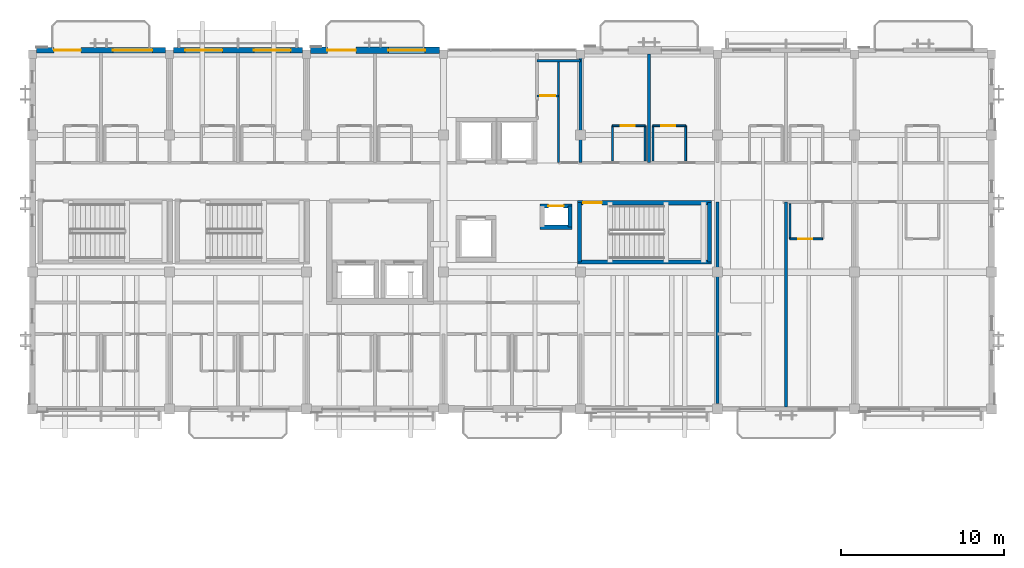
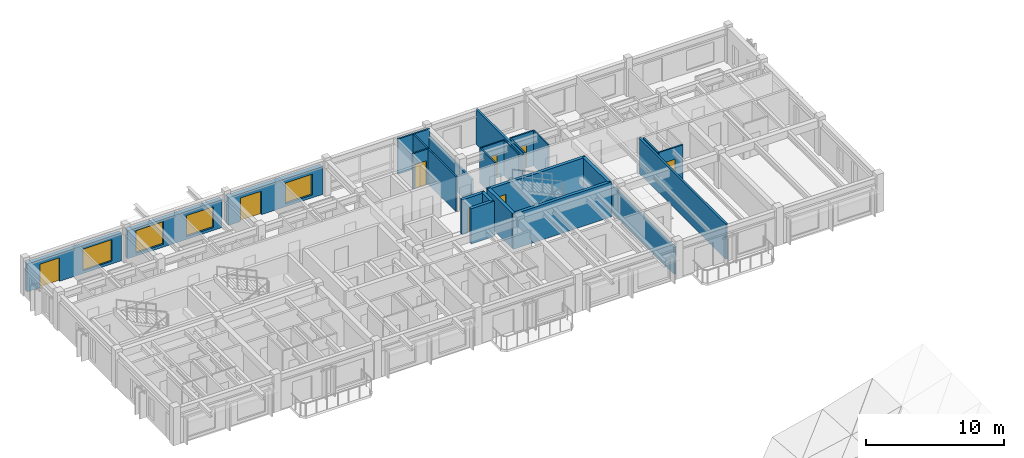
# One storey, part 16 of 31: 25 walls, 8 doors, 4 windows, 12 openings.
"""IFC4 building model written with IfcOpenShell, lengths in metres."""

from ifc_helpers import new_model, si_unit, direction, frame, frame_2d, origin, place, context, subcontext, project, spatial, rectangle, extrude, material, layer, layer_set, type_object, element, fill, save


model = new_model("IFC4")

# Units and contexts
model_context = context("Model", 3, precision=1e-05, world=origin(), true_north=direction((0.0, 1.0)))
body_context = subcontext(model_context, "Body", "Model", "MODEL_VIEW")
ifc_project = project(units=[si_unit("LENGTHUNIT", "METRE"), si_unit("AREAUNIT", "SQUARE_METRE"), si_unit("VOLUMEUNIT", "CUBIC_METRE"), si_unit("PLANEANGLEUNIT", "RADIAN"), si_unit("MASSUNIT", "GRAM", prefix="KILO")], contexts=[model_context])

# Site, building, storey
site_placement = place(None, origin())
site = spatial("IfcSite", under=ifc_project, at=site_placement, CompositionType="ELEMENT")
building_placement = place(site_placement, origin())
building = spatial("IfcBuilding", under=site, at=building_placement, Name="Cumbredor Promenade Congress Hotel", CompositionType="ELEMENT")
storey_placement = place(building_placement, frame((0.0, 0.0, 31.919921875)))
storey = spatial("IfcBuildingStorey", under=building, at=storey_placement, Name="L09", CompositionType="ELEMENT", Elevation=31.919921875)

# Wall, opening, door
ifc_material_1 = material(Name="Moisture-resistant gypsum board on steel studs", Category="steel")
ifc_layer_1 = layer(ifc_material_1, 0.114990234375, Name="Moisture-resistant gypsum board on steel studs", Category="steel")
ifc_layer_set_1 = layer_set([ifc_layer_1], Name="Moisture-resistant gypsum board on steel studs")
wall_type_1 = type_object("IfcWallType", Name="WL-BATH-115", PredefinedType="PARTITIONING", material=ifc_layer_set_1)
wall_1_placement = place(storey_placement, frame((43.9599609375, 109.77001953125, 0.0), z_axis=(0.0, 0.0, 1.0), x_axis=(1.0, 0.0, 0.0)))
wall_1 = element("IfcWall", 1, at=wall_1_placement, inside=storey, type_object=wall_type_1, Name="L09 Interior Partition W-L09-BH-0907", PredefinedType="PARTITIONING", context=body_context, shape_type="SweptSolid", body=[
    extrude(rectangle(XDim=2.0, YDim=0.114990234375, at=frame_2d((1.0, 0.0))), origin(), (0.0, 0.0, 1.0), 3.10009765625),
])
opening_1_placement = place(wall_1_placement, frame((0.5, 0.0, 0.0)))
opening_1 = element("IfcOpeningElement", 2, at=opening_1_placement, cuts=wall_1, Name="Opening ID-01", PredefinedType="OPENING", context=body_context, shape_type="SweptSolid", body=[
    extrude(rectangle(XDim=0.860107421875, YDim=2.050048828125, at=frame_2d((0.43017578125, 1.02490234375))), frame((0.0, 0.0673828125, 0.0), z_axis=(0.0, -1.0, 0.0), x_axis=(1.0, 0.0, 0.0)), (0.0, 0.0, 1.0), 0.135009765625),
])
ifc_material_2 = material(Name="Kiln-dried tropical hardwood", Category="wood")
door_type_1 = type_object("IfcDoorType", Name="DR-BATH-860", OperationType="NOTDEFINED", PredefinedType="DOOR", material=ifc_material_2)
door_1_placement = place(opening_1_placement, origin())
door_1 = element("IfcDoor", 3, at=door_1_placement, inside=storey, type_object=door_type_1, Name="L09 Interior Door W-L09-BH-0907-01", OperationType="SINGLE_SWING_LEFT", OverallHeight=2.050048828125, OverallWidth=0.860107421875, PredefinedType="DOOR", context=body_context, shape_type="SweptSolid", body=[
    extrude(rectangle(XDim=0.860107421875, YDim=2.050048828125, at=frame_2d((0.43017578125, 1.02490234375))), frame((0.0, 0.02490234375, 0.0), z_axis=(0.0, -1.0, 0.0), x_axis=(1.0, 0.0, 0.0)), (0.0, 0.0, 1.0), 0.050048828125),
])
fill(opening_1, door_1)

# Walls
for number, where, z_axis, x_axis, name in (
    (4, (43.9599609375, 107.6201171875, 0.0), (0.0, 0.0, 1.0), (0.0, 1.0, 0.0), "L09 Interior Partition W-L09-BV1-0907"),
    (5, (45.9599609375, 107.6201171875, 0.0), (0.0, 0.0, 1.0), (0.0, 1.0, 0.0), "L09 Interior Partition W-L09-BV2-0907"),
):
    element("IfcWall", number, at=place(storey_placement, frame(where, z_axis=z_axis, x_axis=x_axis)), inside=storey, type_object=wall_type_1, Name=name, PredefinedType="PARTITIONING", context=body_context, shape_type="SweptSolid", body=[
        extrude(rectangle(XDim=2.14990234375, YDim=0.114990234375, at=frame_2d((1.074951171875, 0.0))), origin(), (0.0, 0.0, 1.0), 3.10009765625),
    ])

# Wall, opening, door
wall_2_placement = place(storey_placement, frame((46.43994140625, 109.77001953125, 0.0), z_axis=(0.0, 0.0, 1.0), x_axis=(1.0, 0.0, 0.0)))
wall_2 = element("IfcWall", 6, at=wall_2_placement, inside=storey, type_object=wall_type_1, Name="L09 Interior Partition W-L09-BH-0908", PredefinedType="PARTITIONING", context=body_context, shape_type="SweptSolid", body=[
    extrude(rectangle(XDim=2.0, YDim=0.114990234375, at=frame_2d((1.0, 0.0))), origin(), (0.0, 0.0, 1.0), 3.10009765625),
])
opening_2_placement = place(wall_2_placement, frame((0.5, 0.0, 0.0)))
opening_2 = element("IfcOpeningElement", 7, at=opening_2_placement, cuts=wall_2, Name="Opening ID-01", PredefinedType="OPENING", context=body_context, shape_type="SweptSolid", body=[
    extrude(rectangle(XDim=0.860107421875, YDim=2.050048828125, at=frame_2d((0.43017578125, 1.02490234375))), frame((0.0, 0.0673828125, 0.0), z_axis=(0.0, -1.0, 0.0), x_axis=(1.0, 0.0, 0.0)), (0.0, 0.0, 1.0), 0.135009765625),
])
door_2_placement = place(opening_2_placement, origin())
door_2 = element("IfcDoor", 8, at=door_2_placement, inside=storey, type_object=door_type_1, Name="L09 Interior Door W-L09-BH-0908-01", OperationType="SINGLE_SWING_RIGHT", OverallHeight=2.050048828125, OverallWidth=0.860107421875, PredefinedType="DOOR", context=body_context, shape_type="SweptSolid", body=[
    extrude(rectangle(XDim=0.860107421875, YDim=2.050048828125, at=frame_2d((0.43017578125, 1.02490234375))), frame((0.0, 0.02490234375, 0.0), z_axis=(0.0, -1.0, 0.0), x_axis=(1.0, 0.0, 0.0)), (0.0, 0.0, 1.0), 0.050048828125),
])
fill(opening_2, door_2)

# Walls
for number, where, z_axis, x_axis, name in (
    (9, (46.43994140625, 107.6201171875, 0.0), (0.0, 0.0, 1.0), (0.0, 1.0, 0.0), "L09 Interior Partition W-L09-BV1-0908"),
    (10, (48.43994140625, 107.6201171875, 0.0), (0.0, 0.0, 1.0), (0.0, 1.0, 0.0), "L09 Interior Partition W-L09-BV2-0908"),
):
    element("IfcWall", number, at=place(storey_placement, frame(where, z_axis=z_axis, x_axis=x_axis)), inside=storey, type_object=wall_type_1, Name=name, PredefinedType="PARTITIONING", context=body_context, shape_type="SweptSolid", body=[
        extrude(rectangle(XDim=2.14990234375, YDim=0.114990234375, at=frame_2d((1.074951171875, 0.0))), origin(), (0.0, 0.0, 1.0), 3.10009765625),
    ])

# Wall, opening, door
wall_3_placement = place(storey_placement, frame((54.840087890625, 102.830078125, 0.0), z_axis=(0.0, 0.0, 1.0), x_axis=(1.0, 0.0, 0.0)))
wall_3 = element("IfcWall", 11, at=wall_3_placement, inside=storey, type_object=wall_type_1, Name="L09 Interior Partition W-L09-BH-0912", PredefinedType="PARTITIONING", context=body_context, shape_type="SweptSolid", body=[
    extrude(rectangle(XDim=2.0, YDim=0.114990234375, at=frame_2d((1.0, 0.0))), origin(), (0.0, 0.0, 1.0), 3.10009765625),
])
opening_3_placement = place(wall_3_placement, frame((0.5, 0.0, 0.0)))
opening_3 = element("IfcOpeningElement", 12, at=opening_3_placement, cuts=wall_3, Name="Opening ID-01", PredefinedType="OPENING", context=body_context, shape_type="SweptSolid", body=[
    extrude(rectangle(XDim=0.860107421875, YDim=2.050048828125, at=frame_2d((0.43017578125, 1.02490234375))), frame((0.0, 0.0673828125, 0.0), z_axis=(0.0, -1.0, 0.0), x_axis=(1.0, 0.0, 0.0)), (0.0, 0.0, 1.0), 0.135009765625),
])
door_3_placement = place(opening_3_placement, origin())
door_3 = element("IfcDoor", 13, at=door_3_placement, inside=storey, type_object=door_type_1, Name="L09 Interior Door W-L09-BH-0912-01", OperationType="SINGLE_SWING_RIGHT", OverallHeight=2.050048828125, OverallWidth=0.860107421875, PredefinedType="DOOR", context=body_context, shape_type="SweptSolid", body=[
    extrude(rectangle(XDim=0.860107421875, YDim=2.050048828125, at=frame_2d((0.43017578125, 1.02490234375))), frame((0.0, 0.02490234375, 0.0), z_axis=(0.0, -1.0, 0.0), x_axis=(1.0, 0.0, 0.0)), (0.0, 0.0, 1.0), 0.050048828125),
])
fill(opening_3, door_3)

# Wall
wall_4_placement = place(storey_placement, frame((54.840087890625, 102.830078125, 0.0), z_axis=(0.0, 0.0, 1.0), x_axis=(0.0, 1.0, 0.0)))
element("IfcWall", 14, at=wall_4_placement, inside=storey, type_object=wall_type_1, Name="L09 Interior Partition W-L09-BV1-0912", PredefinedType="PARTITIONING", context=body_context, shape_type="SweptSolid", body=[
    extrude(rectangle(XDim=2.14990234375, YDim=0.114990234375, at=frame_2d((1.074951171875, 0.0))), origin(), (0.0, 0.0, 1.0), 3.10009765625),
])

# Wall, openings, door, window
ifc_material_3 = material(Name="Concrete C40/50", Category="concrete")
ifc_layer_2 = layer(ifc_material_3, 0.324951171875, Name="Concrete C40/50", Category="concrete")
ifc_layer_set_2 = layer_set([ifc_layer_2], Name="Concrete C40/50")
wall_type_2 = type_object("IfcWallType", Name="WL-EXT-325", PredefinedType="SOLIDWALL", material=ifc_layer_set_2)
wall_5_placement = place(storey_placement, frame((8.65087890625, 114.39990234375, 0.0), z_axis=(0.0, 0.0, 1.0), x_axis=(1.0, 0.0, 0.0)))
wall_5 = element("IfcWall", 15, at=wall_5_placement, inside=storey, type_object=wall_type_2, Name="L09 Stepped Congress Hotel Wing North Envelope Wall 1", PredefinedType="SOLIDWALL", context=body_context, shape_type="SweptSolid", body=[
    extrude(rectangle(XDim=7.898193359375, YDim=0.324951171875, at=frame_2d((3.94921875, 0.0))), origin(), (0.0, 0.0, 1.0), 2.47412109375),
])
opening_4_placement = place(wall_5_placement, frame((1.073974609375, 0.0, 0.0)))
opening_4 = element("IfcOpeningElement", 16, at=opening_4_placement, cuts=wall_5, Name="Opening TD-02", PredefinedType="OPENING", context=body_context, shape_type="SweptSolid", body=[
    extrude(rectangle(XDim=1.64990234375, YDim=2.080078125, at=frame_2d((0.824951171875, 1.0400390625))), frame((0.0, 0.17236328125, 0.0), z_axis=(0.0, -1.0, 0.0), x_axis=(1.0, 0.0, 0.0)), (0.0, 0.0, 1.0), 0.344970703125),
])
opening_5_placement = place(wall_5_placement, frame((4.68896484375, 0.0, 0.25)))
opening_5 = element("IfcOpeningElement", 17, at=opening_5_placement, cuts=wall_5, Name="Opening WN-37", PredefinedType="OPENING", context=body_context, shape_type="SweptSolid", body=[
    extrude(rectangle(XDim=2.419921875, YDim=1.89990234375, at=frame_2d((1.2099609375, 0.949951171875))), frame((0.0, 0.17236328125, 0.0), z_axis=(0.0, -1.0, 0.0), x_axis=(1.0, 0.0, 0.0)), (0.0, 0.0, 1.0), 0.344970703125),
])
ifc_material_4 = material(Name="Thermally broken anodized aluminium and laminated safety glass", Category="aluminium")
door_type_2 = type_object("IfcDoorType", Name="EXT-DR-TER-1650x2080", OperationType="DOUBLE_DOOR_SINGLE_SWING", PredefinedType="DOOR", material=ifc_material_4)
door_4_placement = place(opening_4_placement, origin())
door_4 = element("IfcDoor", 18, at=door_4_placement, inside=storey, type_object=door_type_2, Name="L09 Guestroom Veranda Balcony Door 091", OperationType="DOUBLE_DOOR_SINGLE_SWING", OverallHeight=2.080078125, OverallWidth=1.64990234375, PredefinedType="DOOR", context=body_context, shape_type="SweptSolid", body=[
    extrude(rectangle(XDim=1.64990234375, YDim=2.080078125, at=frame_2d((0.824951171875, 1.0400390625))), frame((0.0, 0.02490234375, 0.0), z_axis=(0.0, -1.0, 0.0), x_axis=(1.0, 0.0, 0.0)), (0.0, 0.0, 1.0), 0.050048828125),
])
fill(opening_4, door_4)
ifc_material_5 = material(Name="Thermally broken anodized aluminium and low-E glass", Category="aluminium")
window_type_1 = type_object("IfcWindowType", Name="Hospitality Floor-to-Ceiling Window WN-37 2420x1900", PartitioningType="DOUBLE_PANEL_VERTICAL", PredefinedType="WINDOW", material=ifc_material_5)
window_1_placement = place(opening_5_placement, origin())
window_1 = element("IfcWindow", 19, at=window_1_placement, inside=storey, type_object=window_type_1, Name="L09 Veranda Companion Floor-to-Ceiling Window 0690", OverallHeight=1.89990234375, OverallWidth=2.419921875, PartitioningType="DOUBLE_PANEL_VERTICAL", PredefinedType="WINDOW", context=body_context, shape_type="SweptSolid", body=[
    extrude(rectangle(XDim=2.419921875, YDim=1.89990234375, at=frame_2d((1.2099609375, 0.949951171875))), frame((0.0, 0.030029296875, 0.0), z_axis=(0.0, -1.0, 0.0), x_axis=(1.0, 0.0, 0.0)), (0.0, 0.0, 1.0), 0.06005859375),
])
fill(opening_5, window_1)

# Wall, openings, windows
ifc_layer_3 = layer(ifc_material_3, 0.35009765625, Name="Concrete C40/50", Category="concrete")
ifc_layer_set_3 = layer_set([ifc_layer_3], Name="Concrete C40/50")
wall_type_3 = type_object("IfcWallType", Name="WL-EXT-350", PredefinedType="SOLIDWALL", material=ifc_layer_set_3)
wall_6_placement = place(storey_placement, frame((17.051025390625, 114.39990234375, 0.0), z_axis=(0.0, 0.0, 1.0), x_axis=(1.0, 0.0, 0.0)))
wall_6 = element("IfcWall", 20, at=wall_6_placement, inside=storey, type_object=wall_type_3, Name="L09 Stepped Congress Hotel Wing North Envelope Wall 2", PredefinedType="SOLIDWALL", context=body_context, shape_type="SweptSolid", body=[
    extrude(rectangle(XDim=7.89794921875, YDim=0.35009765625, at=frame_2d((3.948974609375, 0.0))), origin(), (0.0, 0.0, 1.0), 2.47412109375),
])
opening_6_placement = place(wall_6_placement, frame((0.708984375, 0.0, 0.25)))
opening_6 = element("IfcOpeningElement", 21, at=opening_6_placement, cuts=wall_6, Name="Opening WN-40", PredefinedType="OPENING", context=body_context, shape_type="SweptSolid", body=[
    extrude(rectangle(XDim=2.280029296875, YDim=2.0, at=frame_2d((1.14013671875, 1.0))), frame((0.0, 0.18505859375, 0.0), z_axis=(0.0, -1.0, 0.0), x_axis=(1.0, 0.0, 0.0)), (0.0, 0.0, 1.0), 0.3701171875),
])
opening_7_placement = place(wall_6_placement, frame((4.924072265625, 0.0, 0.25)))
opening_7 = element("IfcOpeningElement", 22, at=opening_7_placement, cuts=wall_6, Name="Opening WN-01", PredefinedType="OPENING", context=body_context, shape_type="SweptSolid", body=[
    extrude(rectangle(XDim=2.25, YDim=1.85009765625, at=frame_2d((1.125, 0.925048828125))), frame((0.0, 0.18505859375, 0.0), z_axis=(0.0, -1.0, 0.0), x_axis=(1.0, 0.0, 0.0)), (0.0, 0.0, 1.0), 0.3701171875),
])
window_type_2 = type_object("IfcWindowType", Name="Hospitality Floor-to-Ceiling Window WN-01 2250x1850", PartitioningType="DOUBLE_PANEL_VERTICAL", PredefinedType="WINDOW", material=ifc_material_5)
window_2_placement = place(opening_7_placement, origin())
window_2 = element("IfcWindow", 23, at=window_2_placement, inside=storey, type_object=window_type_2, Name="L09 Wide Hospitality Window 0692", OverallHeight=1.85009765625, OverallWidth=2.25, PartitioningType="DOUBLE_PANEL_VERTICAL", PredefinedType="WINDOW", context=body_context, shape_type="SweptSolid", body=[
    extrude(rectangle(XDim=2.25, YDim=1.85009765625, at=frame_2d((1.125, 0.925048828125))), frame((0.0, 0.030029296875, 0.0), z_axis=(0.0, -1.0, 0.0), x_axis=(1.0, 0.0, 0.0)), (0.0, 0.0, 1.0), 0.06005859375),
])
fill(opening_7, window_2)
window_type_3 = type_object("IfcWindowType", Name="Hospitality Floor-to-Ceiling Window WN-40 2280x2000", PartitioningType="DOUBLE_PANEL_VERTICAL", PredefinedType="WINDOW", material=ifc_material_5)
window_3_placement = place(opening_6_placement, origin())
window_3 = element("IfcWindow", 24, at=window_3_placement, inside=storey, type_object=window_type_3, Name="L09 Wide Hospitality Window 0691", OverallHeight=2.0, OverallWidth=2.280029296875, PartitioningType="DOUBLE_PANEL_VERTICAL", PredefinedType="WINDOW", context=body_context, shape_type="SweptSolid", body=[
    extrude(rectangle(XDim=2.280029296875, YDim=2.0, at=frame_2d((1.14013671875, 1.0))), frame((0.0, 0.030029296875, 0.0), z_axis=(0.0, -1.0, 0.0), x_axis=(1.0, 0.0, 0.0)), (0.0, 0.0, 1.0), 0.06005859375),
])
fill(opening_6, window_3)

# Wall, openings, door, window
ifc_layer_4 = layer(ifc_material_3, 0.3798828125, Name="Concrete C40/50", Category="concrete")
ifc_layer_set_4 = layer_set([ifc_layer_4], Name="Concrete C40/50")
wall_type_4 = type_object("IfcWallType", Name="WL-EXT-380", PredefinedType="SOLIDWALL", material=ifc_layer_set_4)
wall_7_placement = place(storey_placement, frame((25.450927734375, 114.39990234375, 0.0), z_axis=(0.0, 0.0, 1.0), x_axis=(1.0, 0.0, 0.0)))
wall_7 = element("IfcWall", 25, at=wall_7_placement, inside=storey, type_object=wall_type_4, Name="L09 Stepped Congress Hotel Wing North Envelope Wall 3", PredefinedType="SOLIDWALL", context=body_context, shape_type="SweptSolid", body=[
    extrude(rectangle(XDim=7.898193359375, YDim=0.3798828125, at=frame_2d((3.94921875, 0.0))), origin(), (0.0, 0.0, 1.0), 2.47412109375),
])
opening_8_placement = place(wall_7_placement, frame((1.02392578125, 0.0, 0.0)))
opening_8 = element("IfcOpeningElement", 26, at=opening_8_placement, cuts=wall_7, Name="Opening TD-03", PredefinedType="OPENING", context=body_context, shape_type="SweptSolid", body=[
    extrude(rectangle(XDim=1.75, YDim=2.080078125, at=frame_2d((0.875, 1.0400390625))), frame((0.0, 0.199951171875, 0.0), z_axis=(0.0, -1.0, 0.0), x_axis=(1.0, 0.0, 0.0)), (0.0, 0.0, 1.0), 0.39990234375),
])
opening_9_placement = place(wall_7_placement, frame((4.77392578125, 0.0, 0.25)))
opening_9 = element("IfcOpeningElement", 27, at=opening_9_placement, cuts=wall_7, Name="Opening WN-01", PredefinedType="OPENING", context=body_context, shape_type="SweptSolid", body=[
    extrude(rectangle(XDim=2.25, YDim=1.85009765625, at=frame_2d((1.125, 0.925048828125))), frame((0.0, 0.199951171875, 0.0), z_axis=(0.0, -1.0, 0.0), x_axis=(1.0, 0.0, 0.0)), (0.0, 0.0, 1.0), 0.39990234375),
])
door_type_3 = type_object("IfcDoorType", Name="EXT-DR-TER-1750x2080", OperationType="DOUBLE_DOOR_SINGLE_SWING", PredefinedType="DOOR", material=ifc_material_4)
door_5_placement = place(opening_8_placement, origin())
door_5 = element("IfcDoor", 28, at=door_5_placement, inside=storey, type_object=door_type_3, Name="L09 Guestroom Veranda Balcony Door 092", OperationType="DOUBLE_DOOR_SINGLE_SWING", OverallHeight=2.080078125, OverallWidth=1.75, PredefinedType="DOOR", context=body_context, shape_type="SweptSolid", body=[
    extrude(rectangle(XDim=1.75, YDim=2.080078125, at=frame_2d((0.875, 1.0400390625))), frame((0.0, 0.02490234375, 0.0), z_axis=(0.0, -1.0, 0.0), x_axis=(1.0, 0.0, 0.0)), (0.0, 0.0, 1.0), 0.050048828125),
])
fill(opening_8, door_5)
window_4_placement = place(opening_9_placement, origin())
window_4 = element("IfcWindow", 29, at=window_4_placement, inside=storey, type_object=window_type_2, Name="L09 Veranda Companion Floor-to-Ceiling Window 0693", OverallHeight=1.85009765625, OverallWidth=2.25, PartitioningType="DOUBLE_PANEL_VERTICAL", PredefinedType="WINDOW", context=body_context, shape_type="SweptSolid", body=[
    extrude(rectangle(XDim=2.25, YDim=1.85009765625, at=frame_2d((1.125, 0.925048828125))), frame((0.0, 0.030029296875, 0.0), z_axis=(0.0, -1.0, 0.0), x_axis=(1.0, 0.0, 0.0)), (0.0, 0.0, 1.0), 0.06005859375),
])
fill(opening_9, window_4)

# Wall, opening, door
ifc_material_6 = material(Name="Gypsum board on steel studs", Category="steel")
ifc_layer_5 = layer(ifc_material_6, 0.125, Name="Gypsum board on steel studs", Category="steel")
ifc_layer_set_5 = layer_set([ifc_layer_5], Name="Gypsum board on steel studs")
wall_type_5 = type_object("IfcWallType", Name="WL-PART-125", PredefinedType="PARTITIONING", material=ifc_layer_set_5)
wall_8_placement = place(storey_placement, frame((39.330078125, 111.60009765625, 0.0), z_axis=(0.0, 0.0, 1.0), x_axis=(1.0, 0.0, 0.0)))
wall_8 = element("IfcWall", 30, at=wall_8_placement, inside=storey, type_object=wall_type_5, Name="L09 Interior Partition W-L09-HK-S", PredefinedType="PARTITIONING", context=body_context, shape_type="SweptSolid", body=[
    extrude(rectangle(XDim=1.329833984375, YDim=0.125, at=frame_2d((0.6650390625, 0.0))), origin(), (0.0, 0.0, 1.0), 3.10009765625),
])
opening_10_placement = place(wall_8_placement, frame((0.195068359375, 0.0, 0.0)))
opening_10 = element("IfcOpeningElement", 31, at=opening_10_placement, cuts=wall_8, Name="Opening FD-03", PredefinedType="OPENING", context=body_context, shape_type="SweptSolid", body=[
    extrude(rectangle(XDim=0.93994140625, YDim=2.10009765625, at=frame_2d((0.469970703125, 1.050048828125))), frame((0.0, 0.072509765625, 0.0), z_axis=(0.0, -1.0, 0.0), x_axis=(1.0, 0.0, 0.0)), (0.0, 0.0, 1.0), 0.14501953125),
])
ifc_material_7 = material(Name="Painted galvanized steel fire door", Category="steel")
door_type_4 = type_object("IfcDoorType", Name="DR-SGL-FD60-950", OperationType="NOTDEFINED", PredefinedType="DOOR", material=ifc_material_7)
door_6_placement = place(opening_10_placement, origin())
door_6 = element("IfcDoor", 32, at=door_6_placement, inside=storey, type_object=door_type_4, Name="L09 Interior Door W-L09-HK-S-01", OperationType="SINGLE_SWING_LEFT", OverallHeight=2.10009765625, OverallWidth=0.93994140625, PredefinedType="DOOR", context=body_context, shape_type="SweptSolid", body=[
    extrude(rectangle(XDim=0.93994140625, YDim=2.10009765625, at=frame_2d((0.469970703125, 1.050048828125))), frame((0.0, 0.02490234375, 0.0), z_axis=(0.0, -1.0, 0.0), x_axis=(1.0, 0.0, 0.0)), (0.0, 0.0, 1.0), 0.050048828125),
])
fill(opening_10, door_6)

# Walls
wall_9_placement = place(storey_placement, frame((40.659912109375, 107.5, 0.0), z_axis=(0.0, 0.0, 1.0), x_axis=(0.0, 1.0, 0.0)))
element("IfcWall", 33, at=wall_9_placement, inside=storey, type_object=wall_type_5, Name="L09 Interior Partition W-L09-HK-DIV", PredefinedType="PARTITIONING", context=body_context, shape_type="SweptSolid", body=[
    extrude(rectangle(XDim=6.25, YDim=0.125, at=frame_2d((3.125, 0.0))), origin(), (0.0, 0.0, 1.0), 3.10009765625),
])
ifc_material_8 = material(Name="Acoustic gypsum partition on steel studs", Category="steel")
ifc_layer_6 = layer(ifc_material_8, 0.139892578125, Name="Acoustic gypsum partition on steel studs", Category="steel")
ifc_layer_set_6 = layer_set([ifc_layer_6], Name="Acoustic gypsum partition on steel studs")
wall_type_6 = type_object("IfcWallType", Name="WL-PART-140", PredefinedType="PARTITIONING", material=ifc_layer_set_6)
wall_10_placement = place(storey_placement, frame((39.330078125, 113.75, 0.0), z_axis=(0.0, 0.0, 1.0), x_axis=(1.0, 0.0, 0.0)))
element("IfcWall", 34, at=wall_10_placement, inside=storey, type_object=wall_type_6, Name="L09 Interior Partition W-L09-HK-N", PredefinedType="PARTITIONING", context=body_context, shape_type="SweptSolid", body=[
    extrude(rectangle(XDim=2.669921875, YDim=0.139892578125, at=frame_2d((1.3349609375, 0.0))), origin(), (0.0, 0.0, 1.0), 3.10009765625),
])
ifc_layer_7 = layer(ifc_material_3, 0.2548828125, Name="Concrete C40/50", Category="concrete")
ifc_layer_set_7 = layer_set([ifc_layer_7], Name="Concrete C40/50")
wall_type_7 = type_object("IfcWallType", Name="WL-SHAFT-250", PredefinedType="SOLIDWALL", material=ifc_layer_set_7)
wall_11_placement = place(storey_placement, frame((41.802490234375, 101.419921875, 0.0), z_axis=(0.0, 0.0, 1.0), x_axis=(1.0, 0.0, 0.0)))
element("IfcWall", 35, at=wall_11_placement, inside=storey, type_object=wall_type_7, Name="STAIR-ST-03-L09 Shaft Wall South", PredefinedType="SOLIDWALL", context=body_context, shape_type="SweptSolid", body=[
    extrude(rectangle(XDim=8.22509765625, YDim=0.2548828125, at=frame_2d((4.112548828125, 0.0))), origin(), (0.0, 0.0, 1.0), 3.10009765625),
])

# Wall, opening, door
wall_12_placement = place(storey_placement, frame((41.802490234375, 105.050048828125, 0.0), z_axis=(0.0, 0.0, 1.0), x_axis=(1.0, 0.0, 0.0)))
wall_12 = element("IfcWall", 36, at=wall_12_placement, inside=storey, type_object=wall_type_7, Name="STAIR-ST-03-L09 Shaft Wall North", PredefinedType="SOLIDWALL", context=body_context, shape_type="SweptSolid", body=[
    extrude(rectangle(XDim=8.22509765625, YDim=0.2548828125, at=frame_2d((4.112548828125, 0.0))), origin(), (0.0, 0.0, 1.0), 3.10009765625),
])
opening_11_placement = place(wall_12_placement, frame((0.35009765625, 0.0, 0.0)))
opening_11 = element("IfcOpeningElement", 37, at=opening_11_placement, cuts=wall_12, Name="Opening SD-01", PredefinedType="OPENING", context=body_context, shape_type="SweptSolid", body=[
    extrude(rectangle(XDim=1.159912109375, YDim=2.14990234375, at=frame_2d((0.580078125, 1.074951171875))), frame((0.0, 0.137451171875, 0.0), z_axis=(0.0, -1.0, 0.0), x_axis=(1.0, 0.0, 0.0)), (0.0, 0.0, 1.0), 0.27490234375),
])
door_type_5 = type_object("IfcDoorType", Name="DR-STAIR-FD90-1150", OperationType="NOTDEFINED", PredefinedType="DOOR", material=ifc_material_7)
door_7_placement = place(opening_11_placement, origin())
door_7 = element("IfcDoor", 38, at=door_7_placement, inside=storey, type_object=door_type_5, Name="L09 Protected Exit Stair ST-03 Door", OperationType="SINGLE_SWING_LEFT", OverallHeight=2.14990234375, OverallWidth=1.159912109375, PredefinedType="DOOR", context=body_context, shape_type="SweptSolid", body=[
    extrude(rectangle(XDim=1.159912109375, YDim=2.14990234375, at=frame_2d((0.580078125, 1.074951171875))), frame((0.0, 0.02490234375, 0.0), z_axis=(0.0, -1.0, 0.0), x_axis=(1.0, 0.0, 0.0)), (0.0, 0.0, 1.0), 0.050048828125),
])
fill(opening_11, door_7)

# Walls
for number, where, z_axis, x_axis, name in (
    (39, (41.929931640625, 101.419921875, 0.0), (0.0, 0.0, 1.0), (0.0, 1.0, 0.0), "STAIR-ST-03-L09 Shaft Wall West"),
    (40, (49.89990234375, 101.419921875, 0.0), (0.0, 0.0, 1.0), (0.0, 1.0, 0.0), "STAIR-ST-03-L09 Shaft Wall East"),
):
    element("IfcWall", number, at=place(storey_placement, frame(where, z_axis=z_axis, x_axis=x_axis)), inside=storey, type_object=wall_type_7, Name=name, PredefinedType="SOLIDWALL", context=body_context, shape_type="SweptSolid", body=[
        extrude(rectangle(XDim=3.630126953125, YDim=0.2548828125, at=frame_2d((1.81494140625, 0.0))), origin(), (0.0, 0.0, 1.0), 3.10009765625),
    ])
wall_13_placement = place(storey_placement, frame((39.5224609375, 103.550048828125, 0.0), z_axis=(0.0, 0.0, 1.0), x_axis=(1.0, 0.0, 0.0)))
element("IfcWall", 41, at=wall_13_placement, inside=storey, type_object=wall_type_7, Name="RISER-MEP-R1-L09 Shaft Wall South", PredefinedType="SOLIDWALL", context=body_context, shape_type="SweptSolid", body=[
    extrude(rectangle(XDim=1.955078125, YDim=0.2548828125, at=frame_2d((0.9775390625, 0.0))), origin(), (0.0, 0.0, 1.0), 3.10009765625),
])

# Wall, opening, door
wall_14_placement = place(storey_placement, frame((39.5224609375, 104.85009765625, 0.0), z_axis=(0.0, 0.0, 1.0), x_axis=(1.0, 0.0, 0.0)))
wall_14 = element("IfcWall", 42, at=wall_14_placement, inside=storey, type_object=wall_type_7, Name="RISER-MEP-R1-L09 Shaft Wall North", PredefinedType="SOLIDWALL", context=body_context, shape_type="SweptSolid", body=[
    extrude(rectangle(XDim=1.955078125, YDim=0.2548828125, at=frame_2d((0.9775390625, 0.0))), origin(), (0.0, 0.0, 1.0), 3.10009765625),
])
opening_12_placement = place(wall_14_placement, frame((0.507568359375, 0.0, 0.0)))
opening_12 = element("IfcOpeningElement", 43, at=opening_12_placement, cuts=wall_14, Name="Opening FD-03", PredefinedType="OPENING", context=body_context, shape_type="SweptSolid", body=[
    extrude(rectangle(XDim=0.93994140625, YDim=2.10009765625, at=frame_2d((0.469970703125, 1.050048828125))), frame((0.0, 0.137451171875, 0.0), z_axis=(0.0, -1.0, 0.0), x_axis=(1.0, 0.0, 0.0)), (0.0, 0.0, 1.0), 0.27490234375),
])
door_8_placement = place(opening_12_placement, origin())
door_8 = element("IfcDoor", 44, at=door_8_placement, inside=storey, type_object=door_type_4, Name="L09 Hotel MEP Riser Shaft R1 Access Door", OperationType="SINGLE_SWING_LEFT", OverallHeight=2.10009765625, OverallWidth=0.93994140625, PredefinedType="DOOR", context=body_context, shape_type="SweptSolid", body=[
    extrude(rectangle(XDim=0.93994140625, YDim=2.10009765625, at=frame_2d((0.469970703125, 1.050048828125))), frame((0.0, 0.02490234375, 0.0), z_axis=(0.0, -1.0, 0.0), x_axis=(1.0, 0.0, 0.0)), (0.0, 0.0, 1.0), 0.050048828125),
])
fill(opening_12, door_8)

# Walls
wall_15_placement = place(storey_placement, frame((41.35009765625, 103.550048828125, 0.0), z_axis=(0.0, 0.0, 1.0), x_axis=(0.0, 1.0, 0.0)))
element("IfcWall", 45, at=wall_15_placement, inside=storey, type_object=wall_type_7, Name="RISER-MEP-R1-L09 Shaft Wall East", PredefinedType="SOLIDWALL", context=body_context, shape_type="SweptSolid", body=[
    extrude(rectangle(XDim=1.300048828125, YDim=0.2548828125, at=frame_2d((0.64990234375, 0.0))), origin(), (0.0, 0.0, 1.0), 3.10009765625),
])
ifc_material_9 = material(Name="Fire-rated acoustic double-stud partition")
ifc_layer_8 = layer(ifc_material_9, 0.1650390625, Name="Fire-rated acoustic double-stud partition")
ifc_layer_set_8 = layer_set([ifc_layer_8], Name="Fire-rated acoustic double-stud partition")
wall_type_8 = type_object("IfcWallType", Name="WL-UNIT-165", PredefinedType="PARTITIONING", material=ifc_layer_set_8)
wall_16_placement = place(storey_placement, frame((46.199951171875, 107.5, 0.0), z_axis=(0.0, 0.0, 1.0), x_axis=(0.0, 1.0, 0.0)))
element("IfcWall", 46, at=wall_16_placement, inside=storey, type_object=wall_type_8, Name="L09 Interior Partition W-L09-N-DIV-4-M", PredefinedType="PARTITIONING", context=body_context, shape_type="SweptSolid", body=[
    extrude(rectangle(XDim=6.675048828125, YDim=0.1650390625, at=frame_2d((3.33740234375, 0.0))), origin(), (0.0, 0.0, 1.0), 3.10009765625),
])
wall_17_placement = place(storey_placement, frame((42.0, 107.5, 0.0), z_axis=(0.0, 0.0, 1.0), x_axis=(0.0, 1.0, 0.0)))
element("IfcWall", 47, at=wall_17_placement, inside=storey, type_object=wall_type_8, Name="L09 Interior Partition W-L09-N-DIV-4-G", PredefinedType="PARTITIONING", context=body_context, shape_type="SweptSolid", body=[
    extrude(rectangle(XDim=6.550048828125, YDim=0.1650390625, at=frame_2d((3.27490234375, 0.0))), origin(), (0.0, 0.0, 1.0), 2.39013671875),
])
wall_18_placement = place(storey_placement, frame((54.60009765625, 92.530029296875, 0.0), z_axis=(0.0, 0.0, 1.0), x_axis=(0.0, 1.0, 0.0)))
element("IfcWall", 48, at=wall_18_placement, inside=storey, type_object=wall_type_8, Name="L09 Interior Partition W-L09-SE-DIV-0-M", PredefinedType="PARTITIONING", context=body_context, shape_type="SweptSolid", body=[
    extrude(rectangle(XDim=12.570068359375, YDim=0.1650390625, at=frame_2d((6.28515625, 0.0))), origin(), (0.0, 0.0, 1.0), 3.10009765625),
])
wall_19_placement = place(storey_placement, frame((50.39990234375, 92.75, 0.0), z_axis=(0.0, 0.0, 1.0), x_axis=(0.0, 1.0, 0.0)))
element("IfcWall", 49, at=wall_19_placement, inside=storey, type_object=wall_type_8, Name="L09 Interior Partition W-L09-SE-DIV-0-G", PredefinedType="PARTITIONING", context=body_context, shape_type="SweptSolid", body=[
    extrude(rectangle(XDim=12.35009765625, YDim=0.1650390625, at=frame_2d((6.175048828125, 0.0))), origin(), (0.0, 0.0, 1.0), 2.375),
])

save(model, "model.ifc")
